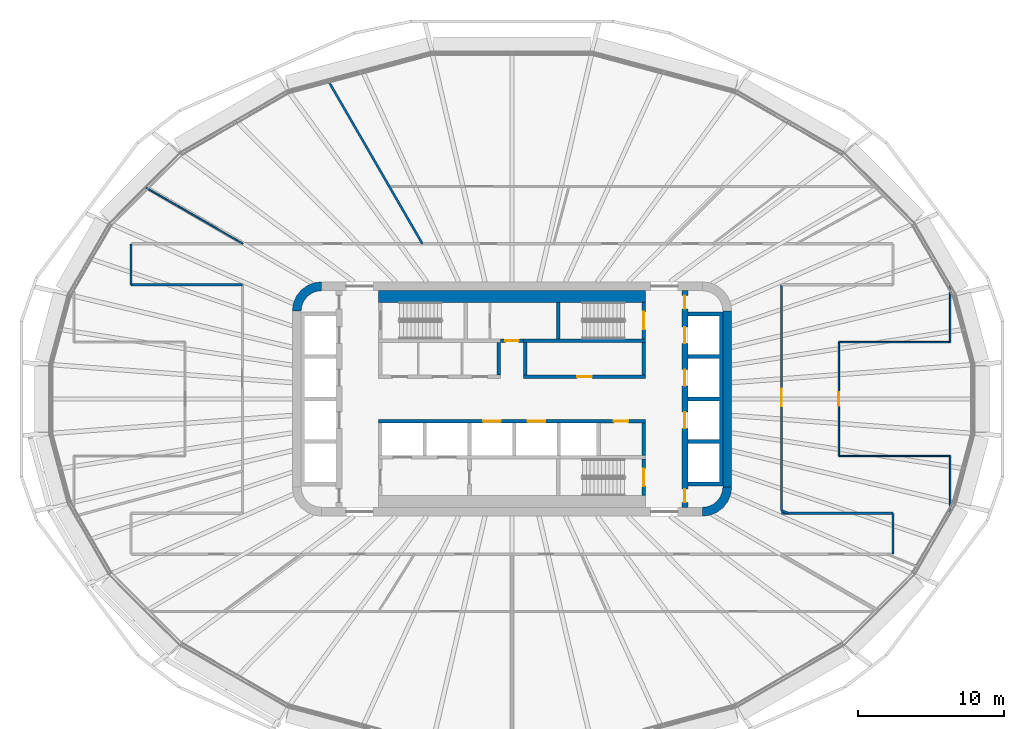
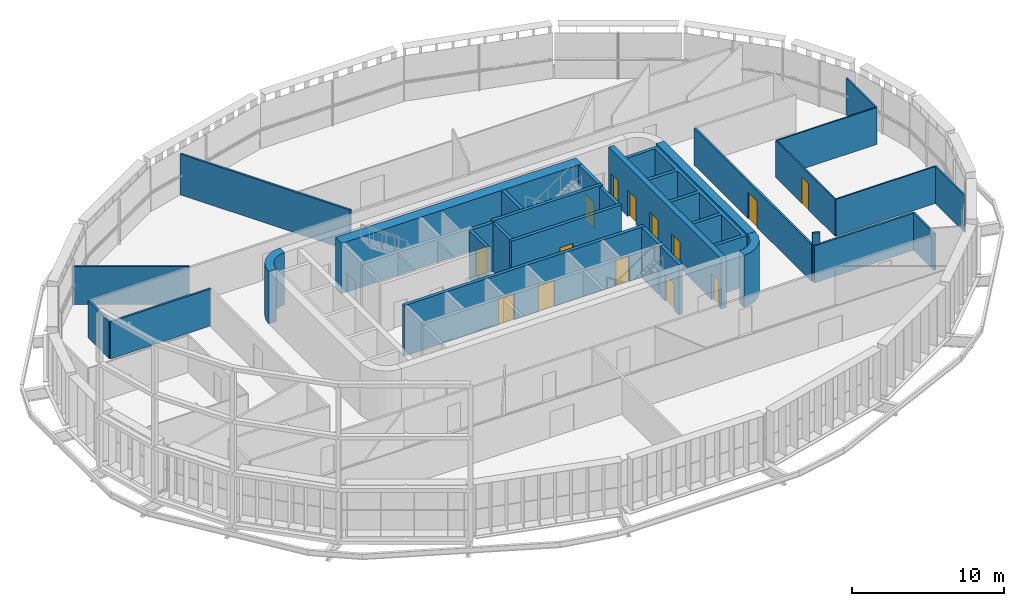
# One storey, part 16 of 25: 30 walls, 14 doors, 14 openings.
"""IFC4 building model written with IfcOpenShell, lengths in metres."""

from ifc_helpers import new_model, si_unit, direction, frame, frame_2d, origin, place, context, subcontext, project, spatial, polyline, rectangle, outline, extrude, material, layer, layer_set, type_object, element, fill, save


model = new_model("IFC4")

# Units and contexts
model_context = context("Model", 3, precision=1e-05, world=origin(), true_north=direction((0.0, 1.0)))
body_context = subcontext(model_context, "Body", "Model", "MODEL_VIEW")
ifc_project = project(units=[si_unit("LENGTHUNIT", "METRE"), si_unit("AREAUNIT", "SQUARE_METRE"), si_unit("VOLUMEUNIT", "CUBIC_METRE"), si_unit("PLANEANGLEUNIT", "RADIAN"), si_unit("MASSUNIT", "GRAM", prefix="KILO")], contexts=[model_context])

# Site, building, storey
site_placement = place(None, origin())
site = spatial("IfcSite", under=ifc_project, at=site_placement, CompositionType="ELEMENT")
building_placement = place(site_placement, origin())
building = spatial("IfcBuilding", under=site, at=building_placement, Name="Sahrelin Media Tower", CompositionType="ELEMENT")
storey_placement = place(building_placement, frame((0.0, 0.0, 135.60009765625)))
storey = spatial("IfcBuildingStorey", under=building, at=storey_placement, Name="L27", CompositionType="ELEMENT", Elevation=135.60009765625)

# Walls
ifc_material_1 = material(Name="Concrete C60/75", Category="concrete")
ifc_layer_1 = layer(ifc_material_1, 0.60009765625)
ifc_layer_set_1 = layer_set([ifc_layer_1], Name="Core wall 600")
wall_type_1 = type_object("IfcWallType", Name="Core wall 600", PredefinedType="SHEAR", material=ifc_layer_set_1)
wall_1_placement = place(storey_placement, frame((14.699951171875, -6.0, 0.0), z_axis=(0.0, 0.0, 1.0), x_axis=(0.0, 1.0, 0.0)))
element("IfcWall", 1, at=wall_1_placement, inside=storey, type_object=wall_type_1, Name="Core wall E L27", PredefinedType="SHEAR", context=body_context, shape_type="SweptSolid", body=[
    extrude(rectangle(XDim=12.0, YDim=0.60009765625, at=frame_2d((6.0, 0.0))), origin(), (0.0, 0.0, 1.0), 4.199951171875),
])
placement = place(storey_placement, origin())
element("IfcWall", 2, at=placement, inside=storey, type_object=wall_type_1, Name="Core wall corner NW L27", PredefinedType="SHEAR", context=body_context, shape_type="SweptSolid", body=[
    extrude(outline(polyline([(-15.0, 6.0), (-14.394775390625, 6.0), (-14.347412109375, 6.361083984375), (-14.2080078125, 6.697509765625), (-13.986328125, 6.986328125), (-13.697509765625, 7.2080078125), (-13.361083984375, 7.347412109375), (-13.0, 7.394775390625), (-13.0, 8.0), (-13.517578125, 7.931884765625), (-14.0, 7.732177734375), (-14.414306640625, 7.414306640625), (-14.732177734375, 7.0), (-14.931884765625, 6.517578125), (-15.0, 6.0)])), origin(), (0.0, 0.0, 1.0), 4.199951171875),
])
element("IfcWall", 3, at=placement, inside=storey, type_object=wall_type_1, Name="Core wall corner SE L27", PredefinedType="SHEAR", context=body_context, shape_type="SweptSolid", body=[
    extrude(outline(polyline([(15.0, -6.0), (14.394775390625, -6.0), (14.347412109375, -6.361083984375), (14.2080078125, -6.697509765625), (13.986328125, -6.986328125), (13.697509765625, -7.2080078125), (13.361083984375, -7.347412109375), (13.0, -7.394775390625), (13.0, -8.0), (13.517578125, -7.931884765625), (14.0, -7.732177734375), (14.414306640625, -7.414306640625), (14.732177734375, -7.0), (14.931884765625, -6.517578125), (15.0, -6.0)])), origin(), (0.0, 0.0, 1.0), 4.199951171875),
])

# Wall, opening, door
ifc_material_2 = material(Name="Fire-rated gypsum board partition")
ifc_layer_2 = layer(ifc_material_2, 0.25)
ifc_layer_set_2 = layer_set([ifc_layer_2], Name="Fire-rated lobby wall 250")
wall_type_2 = type_object("IfcWallType", Name="Fire-rated lobby wall 250", PredefinedType="PARTITIONING", material=ifc_layer_set_2)
wall_4_placement = place(storey_placement, frame((-0.77490234375, 3.97509765625, 0.0), z_axis=(0.0, 0.0, 1.0), x_axis=(1.0, 0.0, 0.0)))
wall_4 = element("IfcWall", 4, at=wall_4_placement, inside=storey, type_object=wall_type_2, Name="Core lobby wall", PredefinedType="PARTITIONING", context=body_context, shape_type="SweptSolid", body=[
    extrude(rectangle(XDim=1.5498046875, YDim=0.25, at=frame_2d((0.77490234375, 0.0))), origin(), (0.0, 0.0, 1.0), 3.89990234375),
])
opening_1_placement = place(wall_4_placement, frame((0.324951171875, 0.0, 0.0)))
opening_1 = element("IfcOpeningElement", 5, at=opening_1_placement, cuts=wall_4, Name="Opening L27-D06", PredefinedType="OPENING", context=body_context, shape_type="SweptSolid", body=[
    extrude(rectangle(XDim=0.89990234375, YDim=2.10009765625, at=frame_2d((0.449951171875, 1.050048828125))), frame((0.0, 0.125, 0.0), z_axis=(0.0, -1.0, 0.0), x_axis=(1.0, 0.0, 0.0)), (0.0, 0.0, 1.0), 0.25),
])
ifc_material_3 = material(Name="Steel fire door leaf", Category="steel")
door_type_1 = type_object("IfcDoorType", Name="Riser door 900 x 2100 EI 120", OperationType="NOTDEFINED", PredefinedType="DOOR", material=ifc_material_3)
door_1_placement = place(opening_1_placement, origin())
door_1 = element("IfcDoor", 6, at=door_1_placement, inside=storey, type_object=door_type_1, Name="Core room door", OperationType="SINGLE_SWING_LEFT", OverallHeight=2.10009765625, OverallWidth=0.89990234375, PredefinedType="DOOR", context=body_context, shape_type="SweptSolid", body=[
    extrude(rectangle(XDim=0.89990234375, YDim=2.10009765625, at=frame_2d((0.449951171875, 1.050048828125))), frame((0.0, 0.02490234375, 0.0), z_axis=(0.0, -1.0, 0.0), x_axis=(1.0, 0.0, 0.0)), (0.0, 0.0, 1.0), 0.050048828125),
])
fill(opening_1, door_1)

wall_5_placement = place(storey_placement, frame((0.77490234375, 1.52490234375, 0.0), z_axis=(0.0, 0.0, 1.0), x_axis=(1.0, 0.0, 0.0)))
wall_5 = element("IfcWall", 7, at=wall_5_placement, inside=storey, type_object=wall_type_2, Name="Core lobby wall", PredefinedType="PARTITIONING", context=body_context, shape_type="SweptSolid", body=[
    extrude(rectangle(XDim=8.35009765625, YDim=0.25, at=frame_2d((4.175048828125, 0.0))), origin(), (0.0, 0.0, 1.0), 3.89990234375),
])
opening_2_placement = place(wall_5_placement, frame((3.675048828125, 0.0, 0.0)))
opening_2 = element("IfcOpeningElement", 8, at=opening_2_placement, cuts=wall_5, Name="Opening L27-D11", PredefinedType="OPENING", context=body_context, shape_type="SweptSolid", body=[
    extrude(rectangle(XDim=1.0, YDim=2.10009765625, at=frame_2d((0.5, 1.050048828125))), frame((0.0, 0.125, 0.0), z_axis=(0.0, -1.0, 0.0), x_axis=(1.0, 0.0, 0.0)), (0.0, 0.0, 1.0), 0.25),
])
door_type_2 = type_object("IfcDoorType", Name="Fire door 1000 x 2100 EI 60", OperationType="NOTDEFINED", PredefinedType="DOOR", material=ifc_material_3)
door_2_placement = place(opening_2_placement, origin())
door_2 = element("IfcDoor", 9, at=door_2_placement, inside=storey, type_object=door_type_2, Name="Core room door", OperationType="SINGLE_SWING_LEFT", OverallHeight=2.10009765625, OverallWidth=1.0, PredefinedType="DOOR", context=body_context, shape_type="SweptSolid", body=[
    extrude(rectangle(XDim=1.0, YDim=2.10009765625, at=frame_2d((0.5, 1.050048828125))), frame((0.0, 0.02490234375, 0.0), z_axis=(0.0, -1.0, 0.0), x_axis=(1.0, 0.0, 0.0)), (0.0, 0.0, 1.0), 0.050048828125),
])
fill(opening_2, door_2)

# Walls
for number, where, z_axis, x_axis, name in (
    (10, (-0.89990234375, 1.64990234375, 0.0), (0.0, 0.0, 1.0), (0.0, 1.0, 0.0), "Core lobby wall"),
    (11, (9.0, 1.64990234375, 0.0), (0.0, 0.0, 1.0), (0.0, 1.0, 0.0), "Core lobby wall"),
    (12, (0.89990234375, 1.64990234375, 0.0), (0.0, 0.0, 1.0), (0.0, 1.0, 0.0), "Core lobby wall"),
):
    element("IfcWall", number, at=place(storey_placement, frame(where, z_axis=z_axis, x_axis=x_axis)), inside=storey, type_object=wall_type_2, Name=name, PredefinedType="PARTITIONING", context=body_context, shape_type="SweptSolid", body=[
        extrude(rectangle(XDim=2.2001953125, YDim=0.25, at=frame_2d((1.10009765625, 0.0))), origin(), (0.0, 0.0, 1.0), 3.89990234375),
    ])
ifc_layer_3 = layer(ifc_material_2, 0.14990234375)
ifc_layer_set_3 = layer_set([ifc_layer_3], Name="Fire-rated partition 150")
wall_type_3 = type_object("IfcWallType", Name="Fire-rated partition 150", PredefinedType="PARTITIONING", material=ifc_layer_set_3)
wall_6_placement = place(storey_placement, frame((-12.5810546875, 21.7900390625, 0.0), z_axis=(0.0, 0.0, 1.0), x_axis=(0.500038653944, -0.866003085769, 0.0)))
element("IfcWall", 13, at=wall_6_placement, inside=storey, type_object=wall_type_3, Name="Wall", PredefinedType="PARTITIONING", context=body_context, shape_type="SweptSolid", body=[
    extrude(rectangle(XDim=12.92138671875, YDim=0.14990234375, at=frame_2d((6.460693359375, 0.0))), origin(), (0.0, 0.0, 1.0), 3.27734375),
])
wall_7_placement = place(storey_placement, frame((18.39990234375, -7.60791015625, 0.0), z_axis=(0.0, 0.0, 1.0), x_axis=(0.923666464005, -0.383197420755, 0.0)))
element("IfcWall", 14, at=wall_7_placement, inside=storey, type_object=wall_type_3, Name="Wall", PredefinedType="PARTITIONING", context=body_context, shape_type="SweptSolid", body=[
    extrude(rectangle(XDim=0.50146484375, YDim=0.14990234375, at=frame_2d((0.250732421875, 0.0))), origin(), (0.0, 0.0, 1.0), 3.89990234375),
])
for number, where, z_axis, x_axis, name in (
    (15, (18.39990234375, -7.800048828125, 0.0), (0.0, 0.0, 1.0), (1.0, 0.0, 0.0), "Wall"),
    (16, (-26.0, 7.800048828125, 0.0), (0.0, 0.0, 1.0), (1.0, 0.0, 0.0), "Wall"),
):
    element("IfcWall", number, at=place(storey_placement, frame(where, z_axis=z_axis, x_axis=x_axis)), inside=storey, type_object=wall_type_3, Name=name, PredefinedType="PARTITIONING", context=body_context, shape_type="SweptSolid", body=[
        extrude(rectangle(XDim=7.60009765625, YDim=0.14990234375, at=frame_2d((3.800048828125, 0.0))), origin(), (0.0, 0.0, 1.0), 2.976806640625),
    ])
wall_8_placement = place(storey_placement, frame((26.0, -10.574951171875, 0.0), z_axis=(0.0, 0.0, 1.0), x_axis=(0.0, 1.0, 0.0)))
element("IfcWall", 17, at=wall_8_placement, inside=storey, type_object=wall_type_3, Name="Wall", PredefinedType="PARTITIONING", context=body_context, shape_type="SweptSolid", body=[
    extrude(rectangle(XDim=2.77490234375, YDim=0.14990234375, at=frame_2d((1.387451171875, 0.0))), origin(), (0.0, 0.0, 1.0), 2.976806640625),
])

# Wall, opening, door
wall_9_placement = place(storey_placement, frame((18.39990234375, -7.60791015625, 0.0), z_axis=(0.0, 0.0, 1.0), x_axis=(0.0, 1.0, 0.0)))
wall_9 = element("IfcWall", 18, at=wall_9_placement, inside=storey, type_object=wall_type_3, Name="Wall", PredefinedType="PARTITIONING", context=body_context, shape_type="SweptSolid", body=[
    extrude(rectangle(XDim=15.407958984375, YDim=0.14990234375, at=frame_2d((7.7041015625, 0.0))), origin(), (0.0, 0.0, 1.0), 2.968017578125),
])
opening_3_placement = place(wall_9_placement, frame((7.10400390625, 0.0, 0.0)))
opening_3 = element("IfcOpeningElement", 19, at=opening_3_placement, cuts=wall_9, Name="Opening L27-D22", PredefinedType="OPENING", context=body_context, shape_type="SweptSolid", body=[
    extrude(rectangle(XDim=1.199951171875, YDim=2.10009765625, at=frame_2d((0.60009765625, 1.050048828125))), frame((0.0, 0.074951171875, 0.0), z_axis=(0.0, -1.0, 0.0), x_axis=(1.0, 0.0, 0.0)), (0.0, 0.0, 1.0), 0.14990234375),
])
door_type_3 = type_object("IfcDoorType", Name="Service double door 1200 x 2100 EI 60", OperationType="DOUBLE_DOOR_SINGLE_SWING", PredefinedType="DOOR", material=ifc_material_3)
door_3_placement = place(opening_3_placement, origin())
door_3 = element("IfcDoor", 20, at=door_3_placement, inside=storey, type_object=door_type_3, Name="Service double door", OperationType="DOUBLE_DOOR_SINGLE_SWING", OverallHeight=2.10009765625, OverallWidth=1.199951171875, PredefinedType="DOOR", context=body_context, shape_type="SweptSolid", body=[
    extrude(rectangle(XDim=1.199951171875, YDim=2.10009765625, at=frame_2d((0.60009765625, 1.050048828125))), frame((0.0, 0.02490234375, 0.0), z_axis=(0.0, -1.0, 0.0), x_axis=(1.0, 0.0, 0.0)), (0.0, 0.0, 1.0), 0.050048828125),
])
fill(opening_3, door_3)

# Wall
wall_10_placement = place(storey_placement, frame((-26.0, 7.800048828125, 0.0), z_axis=(0.0, 0.0, 1.0), x_axis=(0.0, 1.0, 0.0)))
element("IfcWall", 21, at=wall_10_placement, inside=storey, type_object=wall_type_3, Name="Wall", PredefinedType="PARTITIONING", context=body_context, shape_type="SweptSolid", body=[
    extrude(rectangle(XDim=2.77490234375, YDim=0.14990234375, at=frame_2d((1.387451171875, 0.0))), origin(), (0.0, 0.0, 1.0), 2.976806640625),
])

# Wall, openings, doors
ifc_layer_4 = layer(ifc_material_1, 0.25)
ifc_layer_set_4 = layer_set([ifc_layer_4], Name="Lift shaft wall 250")
wall_type_4 = type_object("IfcWallType", Name="Lift shaft wall 250", PredefinedType="SOLIDWALL", material=ifc_layer_set_4)
wall_11_placement = place(storey_placement, frame((-9.125, -1.52490234375, 0.0), z_axis=(0.0, 0.0, 1.0), x_axis=(1.0, 0.0, 0.0)))
wall_11 = element("IfcWall", 22, at=wall_11_placement, inside=storey, type_object=wall_type_4, Name="Lift shaft wall", PredefinedType="SOLIDWALL", context=body_context, shape_type="SweptSolid", body=[
    extrude(rectangle(XDim=18.25, YDim=0.25, at=frame_2d((9.125, 0.0))), origin(), (0.0, 0.0, 1.0), 4.0498046875),
])
opening_4_placement = place(wall_11_placement, frame((7.14990234375, 0.0, 0.0)))
opening_4 = element("IfcOpeningElement", 23, at=opening_4_placement, cuts=wall_11, Name="Opening L27-LD-SV1", PredefinedType="OPENING", context=body_context, shape_type="SweptSolid", body=[
    extrude(rectangle(XDim=1.199951171875, YDim=2.10009765625, at=frame_2d((0.60009765625, 1.050048828125))), frame((0.0, 0.125, 0.0), z_axis=(0.0, -1.0, 0.0), x_axis=(1.0, 0.0, 0.0)), (0.0, 0.0, 1.0), 0.25),
])
opening_5_placement = place(wall_11_placement, frame((10.199951171875, 0.0, 0.0)))
opening_5 = element("IfcOpeningElement", 24, at=opening_5_placement, cuts=wall_11, Name="Opening L27-LD-SV2", PredefinedType="OPENING", context=body_context, shape_type="SweptSolid", body=[
    extrude(rectangle(XDim=1.199951171875, YDim=2.10009765625, at=frame_2d((0.60009765625, 1.050048828125))), frame((0.0, 0.125, 0.0), z_axis=(0.0, -1.0, 0.0), x_axis=(1.0, 0.0, 0.0)), (0.0, 0.0, 1.0), 0.25),
])
opening_6_placement = place(wall_11_placement, frame((16.074951171875, 0.0, 0.0)))
opening_6 = element("IfcOpeningElement", 25, at=opening_6_placement, cuts=wall_11, Name="Opening L27-D12", PredefinedType="OPENING", context=body_context, shape_type="SweptSolid", body=[
    extrude(rectangle(XDim=1.0, YDim=2.10009765625, at=frame_2d((0.5, 1.050048828125))), frame((0.0, 0.125, 0.0), z_axis=(0.0, -1.0, 0.0), x_axis=(1.0, 0.0, 0.0)), (0.0, 0.0, 1.0), 0.25),
])
door_4_placement = place(opening_6_placement, origin())
door_4 = element("IfcDoor", 26, at=door_4_placement, inside=storey, type_object=door_type_2, Name="Core room door", OperationType="SINGLE_SWING_RIGHT", OverallHeight=2.10009765625, OverallWidth=1.0, PredefinedType="DOOR", context=body_context, shape_type="SweptSolid", body=[
    extrude(rectangle(XDim=1.0, YDim=2.10009765625, at=frame_2d((0.5, 1.050048828125))), frame((0.0, 0.02490234375, 0.0), z_axis=(0.0, -1.0, 0.0), x_axis=(1.0, 0.0, 0.0)), (0.0, 0.0, 1.0), 0.050048828125),
])
fill(opening_6, door_4)
ifc_material_4 = material(Name="Stainless steel", Category="steel")
door_type_4 = type_object("IfcDoorType", Name="Lift landing door 1200 x 2100 EI 120", OperationType="DOUBLE_DOOR_SLIDING", PredefinedType="DOOR", material=ifc_material_4)
door_5_placement = place(opening_4_placement, origin())
door_5 = element("IfcDoor", 27, at=door_5_placement, inside=storey, type_object=door_type_4, Name="Lift landing door SV1", OperationType="DOUBLE_DOOR_SLIDING", OverallHeight=2.10009765625, OverallWidth=1.199951171875, PredefinedType="DOOR", context=body_context, shape_type="SweptSolid", body=[
    extrude(rectangle(XDim=1.199951171875, YDim=2.10009765625, at=frame_2d((0.60009765625, 1.050048828125))), frame((0.0, 0.02490234375, 0.0), z_axis=(0.0, -1.0, 0.0), x_axis=(1.0, 0.0, 0.0)), (0.0, 0.0, 1.0), 0.050048828125),
])
fill(opening_4, door_5)
door_6_placement = place(opening_5_placement, origin())
door_6 = element("IfcDoor", 28, at=door_6_placement, inside=storey, type_object=door_type_4, Name="Lift landing door SV2", OperationType="DOUBLE_DOOR_SLIDING", OverallHeight=2.10009765625, OverallWidth=1.199951171875, PredefinedType="DOOR", context=body_context, shape_type="SweptSolid", body=[
    extrude(rectangle(XDim=1.199951171875, YDim=2.10009765625, at=frame_2d((0.60009765625, 1.050048828125))), frame((0.0, 0.02490234375, 0.0), z_axis=(0.0, -1.0, 0.0), x_axis=(1.0, 0.0, 0.0)), (0.0, 0.0, 1.0), 0.050048828125),
])
fill(opening_5, door_6)

# Walls
wall_12_placement = place(storey_placement, frame((9.0, -3.85009765625, 0.0), z_axis=(0.0, 0.0, 1.0), x_axis=(0.0, 1.0, 0.0)))
element("IfcWall", 29, at=wall_12_placement, inside=storey, type_object=wall_type_4, Name="Lift shaft wall", PredefinedType="SOLIDWALL", context=body_context, shape_type="SweptSolid", body=[
    extrude(rectangle(XDim=2.2001953125, YDim=0.25, at=frame_2d((1.10009765625, 0.0))), origin(), (0.0, 0.0, 1.0), 4.0498046875),
])
element("IfcWall", 30, at=placement, inside=storey, type_object=wall_type_4, Name="Lift shaft wall", PredefinedType="SOLIDWALL", context=body_context, shape_type="SweptSolid", body=[
    extrude(outline(polyline([(12.0, -5.675048828125), (12.0, -5.925048828125), (14.14990234375, -5.925048828125), (14.39990234375, -5.925048828125), (14.39990234375, -5.675048828125), (14.39990234375, -3.02490234375), (14.39990234375, -2.77490234375), (14.39990234375, -0.125), (14.39990234375, 0.125), (14.39990234375, 2.77490234375), (14.39990234375, 3.02490234375), (14.39990234375, 5.675048828125), (14.39990234375, 5.925048828125), (14.14990234375, 5.925048828125), (12.0, 5.925048828125), (12.0, 5.675048828125), (14.14990234375, 5.675048828125), (14.14990234375, 3.02490234375), (12.0, 3.02490234375), (12.0, 2.77490234375), (14.14990234375, 2.77490234375), (14.14990234375, 0.125), (12.0, 0.125), (12.0, -0.125), (14.14990234375, -0.125), (14.14990234375, -2.77490234375), (12.0, -2.77490234375), (12.0, -3.02490234375), (14.14990234375, -3.02490234375), (14.14990234375, -5.675048828125), (12.0, -5.675048828125)])), origin(), (0.0, 0.0, 1.0), 4.0498046875),
])

# Wall, openings, doors
ifc_layer_5 = layer(ifc_material_1, 0.39990234375)
ifc_layer_set_5 = layer_set([ifc_layer_5], Name="Lift shaft wall 400")
wall_type_5 = type_object("IfcWallType", Name="Lift shaft wall 400", PredefinedType="SOLIDWALL", material=ifc_layer_set_5)
wall_14_placement = place(storey_placement, frame((11.800048828125, -7.39990234375, 0.0), z_axis=(0.0, 0.0, 1.0), x_axis=(0.0, 1.0, 0.0)))
wall_14 = element("IfcWall", 31, at=wall_14_placement, inside=storey, type_object=wall_type_5, Name="Lift shaft wall", PredefinedType="SOLIDWALL", context=body_context, shape_type="SweptSolid", body=[
    extrude(rectangle(XDim=14.7998046875, YDim=0.39990234375, at=frame_2d((7.39990234375, 0.0))), origin(), (0.0, 0.0, 1.0), 4.0498046875),
])
opening_7_placement = place(wall_14_placement, frame((11.199951171875, 0.0, 0.0)))
opening_7 = element("IfcOpeningElement", 32, at=opening_7_placement, cuts=wall_14, Name="Opening L27-LD-LR4", PredefinedType="OPENING", context=body_context, shape_type="SweptSolid", body=[
    extrude(rectangle(XDim=1.10009765625, YDim=2.10009765625, at=frame_2d((0.550048828125, 1.050048828125))), frame((0.0, 0.199951171875, 0.0), z_axis=(0.0, -1.0, 0.0), x_axis=(1.0, 0.0, 0.0)), (0.0, 0.0, 1.0), 0.39990234375),
])
opening_8_placement = place(wall_14_placement, frame((8.300048828125, 0.0, 0.0)))
opening_8 = element("IfcOpeningElement", 33, at=opening_8_placement, cuts=wall_14, Name="Opening L27-LD-LR5", PredefinedType="OPENING", context=body_context, shape_type="SweptSolid", body=[
    extrude(rectangle(XDim=1.10009765625, YDim=2.10009765625, at=frame_2d((0.550048828125, 1.050048828125))), frame((0.0, 0.199951171875, 0.0), z_axis=(0.0, -1.0, 0.0), x_axis=(1.0, 0.0, 0.0)), (0.0, 0.0, 1.0), 0.39990234375),
])
opening_9_placement = place(wall_14_placement, frame((5.39990234375, 0.0, 0.0)))
opening_9 = element("IfcOpeningElement", 34, at=opening_9_placement, cuts=wall_14, Name="Opening L27-LD-LR6", PredefinedType="OPENING", context=body_context, shape_type="SweptSolid", body=[
    extrude(rectangle(XDim=1.10009765625, YDim=2.10009765625, at=frame_2d((0.550048828125, 1.050048828125))), frame((0.0, 0.199951171875, 0.0), z_axis=(0.0, -1.0, 0.0), x_axis=(1.0, 0.0, 0.0)), (0.0, 0.0, 1.0), 0.39990234375),
])
opening_10_placement = place(wall_14_placement, frame((13.552490234375, 0.0, 0.0)))
opening_10 = element("IfcOpeningElement", 35, at=opening_10_placement, cuts=wall_14, Name="Opening L27-D15", PredefinedType="OPENING", context=body_context, shape_type="SweptSolid", body=[
    extrude(rectangle(XDim=0.89990234375, YDim=2.10009765625, at=frame_2d((0.449951171875, 1.050048828125))), frame((0.0, 0.199951171875, 0.0), z_axis=(0.0, -1.0, 0.0), x_axis=(1.0, 0.0, 0.0)), (0.0, 0.0, 1.0), 0.39990234375),
])
opening_11_placement = place(wall_14_placement, frame((0.347412109375, 0.0, 0.0)))
opening_11 = element("IfcOpeningElement", 36, at=opening_11_placement, cuts=wall_14, Name="Opening L27-D16", PredefinedType="OPENING", context=body_context, shape_type="SweptSolid", body=[
    extrude(rectangle(XDim=0.89990234375, YDim=2.10009765625, at=frame_2d((0.449951171875, 1.050048828125))), frame((0.0, 0.199951171875, 0.0), z_axis=(0.0, -1.0, 0.0), x_axis=(1.0, 0.0, 0.0)), (0.0, 0.0, 1.0), 0.39990234375),
])
door_type_5 = type_object("IfcDoorType", Name="Lift landing door 1100 x 2100 EI 120", OperationType="DOUBLE_DOOR_SLIDING", PredefinedType="DOOR", material=ifc_material_4)
door_7_placement = place(opening_7_placement, origin())
door_7 = element("IfcDoor", 37, at=door_7_placement, inside=storey, type_object=door_type_5, Name="Lift landing door LR4", OperationType="DOUBLE_DOOR_SLIDING", OverallHeight=2.10009765625, OverallWidth=1.10009765625, PredefinedType="DOOR", context=body_context, shape_type="SweptSolid", body=[
    extrude(rectangle(XDim=1.10009765625, YDim=2.10009765625, at=frame_2d((0.550048828125, 1.050048828125))), frame((0.0, 0.02490234375, 0.0), z_axis=(0.0, -1.0, 0.0), x_axis=(1.0, 0.0, 0.0)), (0.0, 0.0, 1.0), 0.050048828125),
])
fill(opening_7, door_7)
door_8_placement = place(opening_8_placement, origin())
door_8 = element("IfcDoor", 38, at=door_8_placement, inside=storey, type_object=door_type_5, Name="Lift landing door LR5", OperationType="DOUBLE_DOOR_SLIDING", OverallHeight=2.10009765625, OverallWidth=1.10009765625, PredefinedType="DOOR", context=body_context, shape_type="SweptSolid", body=[
    extrude(rectangle(XDim=1.10009765625, YDim=2.10009765625, at=frame_2d((0.550048828125, 1.050048828125))), frame((0.0, 0.02490234375, 0.0), z_axis=(0.0, -1.0, 0.0), x_axis=(1.0, 0.0, 0.0)), (0.0, 0.0, 1.0), 0.050048828125),
])
fill(opening_8, door_8)
door_9_placement = place(opening_9_placement, origin())
door_9 = element("IfcDoor", 39, at=door_9_placement, inside=storey, type_object=door_type_5, Name="Lift landing door LR6", OperationType="DOUBLE_DOOR_SLIDING", OverallHeight=2.10009765625, OverallWidth=1.10009765625, PredefinedType="DOOR", context=body_context, shape_type="SweptSolid", body=[
    extrude(rectangle(XDim=1.10009765625, YDim=2.10009765625, at=frame_2d((0.550048828125, 1.050048828125))), frame((0.0, 0.02490234375, 0.0), z_axis=(0.0, -1.0, 0.0), x_axis=(1.0, 0.0, 0.0)), (0.0, 0.0, 1.0), 0.050048828125),
])
fill(opening_9, door_9)
door_10_placement = place(opening_10_placement, origin())
door_10 = element("IfcDoor", 40, at=door_10_placement, inside=storey, type_object=door_type_1, Name="Riser door", OperationType="SINGLE_SWING_RIGHT", OverallHeight=2.10009765625, OverallWidth=0.89990234375, PredefinedType="DOOR", context=body_context, shape_type="SweptSolid", body=[
    extrude(rectangle(XDim=0.89990234375, YDim=2.10009765625, at=frame_2d((0.449951171875, 1.050048828125))), frame((0.0, 0.02490234375, 0.0), z_axis=(0.0, -1.0, 0.0), x_axis=(1.0, 0.0, 0.0)), (0.0, 0.0, 1.0), 0.050048828125),
])
fill(opening_10, door_10)
door_11_placement = place(opening_11_placement, origin())
door_11 = element("IfcDoor", 41, at=door_11_placement, inside=storey, type_object=door_type_1, Name="Riser door", OperationType="SINGLE_SWING_RIGHT", OverallHeight=2.10009765625, OverallWidth=0.89990234375, PredefinedType="DOOR", context=body_context, shape_type="SweptSolid", body=[
    extrude(rectangle(XDim=0.89990234375, YDim=2.10009765625, at=frame_2d((0.449951171875, 1.050048828125))), frame((0.0, 0.02490234375, 0.0), z_axis=(0.0, -1.0, 0.0), x_axis=(1.0, 0.0, 0.0)), (0.0, 0.0, 1.0), 0.050048828125),
])
fill(opening_11, door_11)

# Walls
ifc_material_5 = material(Name="Gypsum board partition")
ifc_layer_6 = layer(ifc_material_5, 0.10009765625)
ifc_layer_set_6 = layer_set([ifc_layer_6], Name="Partition 100")
wall_type_6 = type_object("IfcWallType", Name="Partition 100", PredefinedType="PARTITIONING", material=ifc_layer_set_6)
wall_15_placement = place(storey_placement, frame((-25.029052734375, 14.450927734375, 0.0), z_axis=(0.0, 0.0, 1.0), x_axis=(0.865996573404, -0.500049932359, 0.0)))
element("IfcWall", 42, at=wall_15_placement, inside=storey, type_object=wall_type_6, Name="Wall", PredefinedType="PARTITIONING", context=body_context, shape_type="SweptSolid", body=[
    extrude(rectangle(XDim=7.700927734375, YDim=0.10009765625, at=frame_2d((3.8505859375, 0.0))), origin(), (0.0, 0.0, 1.0), 3.044921875),
])
for number, where, z_axis, x_axis, name in (
    (43, (22.31005859375, -3.889892578125, 0.0), (0.0, 0.0, 1.0), (1.0, 0.0, 0.0), "Wall"),
    (44, (22.31005859375, 3.889892578125, 0.0), (0.0, 0.0, 1.0), (1.0, 0.0, 0.0), "Wall"),
):
    element("IfcWall", number, at=place(storey_placement, frame(where, z_axis=z_axis, x_axis=x_axis)), inside=storey, type_object=wall_type_6, Name=name, PredefinedType="PARTITIONING", context=body_context, shape_type="SweptSolid", body=[
        extrude(rectangle(XDim=7.599853515625, YDim=0.10009765625, at=frame_2d((3.7998046875, 0.0))), origin(), (0.0, 0.0, 1.0), 2.968017578125),
    ])
for number, where, z_axis, x_axis, name in (
    (45, (29.909912109375, -7.802978515625, 0.0), (0.0, 0.0, 1.0), (0.0, 1.0, 0.0), "Wall"),
    (46, (29.909912109375, 3.889892578125, 0.0), (0.0, 0.0, 1.0), (0.0, 1.0, 0.0), "Wall"),
):
    element("IfcWall", number, at=place(storey_placement, frame(where, z_axis=z_axis, x_axis=x_axis)), inside=storey, type_object=wall_type_6, Name=name, PredefinedType="PARTITIONING", context=body_context, shape_type="SweptSolid", body=[
        extrude(rectangle(XDim=3.9130859375, YDim=0.10009765625, at=frame_2d((1.95654296875, 0.0))), origin(), (0.0, 0.0, 1.0), 2.968017578125),
    ])

# Wall, opening, door
wall_16_placement = place(storey_placement, frame((22.31005859375, -3.889892578125, 0.0), z_axis=(0.0, 0.0, 1.0), x_axis=(0.0, 1.0, 0.0)))
wall_16 = element("IfcWall", 47, at=wall_16_placement, inside=storey, type_object=wall_type_6, Name="Wall", PredefinedType="PARTITIONING", context=body_context, shape_type="SweptSolid", body=[
    extrude(rectangle(XDim=7.77978515625, YDim=0.10009765625, at=frame_2d((3.889892578125, 0.0))), origin(), (0.0, 0.0, 1.0), 2.968017578125),
])
opening_12_placement = place(wall_16_placement, frame((3.43994140625, 0.0, 0.0)))
opening_12 = element("IfcOpeningElement", 48, at=opening_12_placement, cuts=wall_16, Name="Opening L27-D25", PredefinedType="OPENING", context=body_context, shape_type="SweptSolid", body=[
    extrude(rectangle(XDim=0.89990234375, YDim=2.10009765625, at=frame_2d((0.449951171875, 1.050048828125))), frame((0.0, 0.050048828125, 0.0), z_axis=(0.0, -1.0, 0.0), x_axis=(1.0, 0.0, 0.0)), (0.0, 0.0, 1.0), 0.10009765625),
])
ifc_material_6 = material(Name="Timber door leaf", Category="wood")
door_type_6 = type_object("IfcDoorType", Name="Single door 900 x 2100", OperationType="NOTDEFINED", PredefinedType="DOOR", material=ifc_material_6)
door_12_placement = place(opening_12_placement, origin())
door_12 = element("IfcDoor", 49, at=door_12_placement, inside=storey, type_object=door_type_6, Name="Single door", OperationType="SINGLE_SWING_LEFT", OverallHeight=2.10009765625, OverallWidth=0.89990234375, PredefinedType="DOOR", context=body_context, shape_type="SweptSolid", body=[
    extrude(rectangle(XDim=0.89990234375, YDim=2.10009765625, at=frame_2d((0.449951171875, 1.050048828125))), frame((0.0, 0.02490234375, 0.0), z_axis=(0.0, -1.0, 0.0), x_axis=(1.0, 0.0, 0.0)), (0.0, 0.0, 1.0), 0.050048828125),
])
fill(opening_12, door_12)

ifc_layer_7 = layer(ifc_material_1, 0.25)
ifc_layer_set_7 = layer_set([ifc_layer_7], Name="Stair enclosure wall 250")
wall_type_7 = type_object("IfcWallType", Name="Stair enclosure wall 250", PredefinedType="SOLIDWALL", material=ifc_layer_set_7)
wall_17_placement = place(storey_placement, frame((9.0, 4.10009765625, 0.0), z_axis=(0.0, 0.0, 1.0), x_axis=(0.0, 1.0, 0.0)))
wall_17 = element("IfcWall", 50, at=wall_17_placement, inside=storey, type_object=wall_type_7, Name="Stair enclosure wall", PredefinedType="SOLIDWALL", context=body_context, shape_type="SweptSolid", body=[
    extrude(rectangle(XDim=2.5, YDim=0.25, at=frame_2d((1.25, 0.0))), origin(), (0.0, 0.0, 1.0), 4.0498046875),
])
opening_13_placement = place(wall_17_placement, frame((0.64990234375, 0.0, 0.0)))
opening_13 = element("IfcOpeningElement", 51, at=opening_13_placement, cuts=wall_17, Name="Opening L27-D02", PredefinedType="OPENING", context=body_context, shape_type="SweptSolid", body=[
    extrude(rectangle(XDim=1.199951171875, YDim=2.10009765625, at=frame_2d((0.60009765625, 1.050048828125))), frame((0.0, 0.125, 0.0), z_axis=(0.0, -1.0, 0.0), x_axis=(1.0, 0.0, 0.0)), (0.0, 0.0, 1.0), 0.25),
])
door_type_7 = type_object("IfcDoorType", Name="Stair door 1200 x 2100 EI 120", OperationType="NOTDEFINED", PredefinedType="DOOR", material=ifc_material_3)
door_13_placement = place(opening_13_placement, origin())
door_13 = element("IfcDoor", 52, at=door_13_placement, inside=storey, type_object=door_type_7, Name="Stair door ST3", OperationType="SINGLE_SWING_LEFT", OverallHeight=2.10009765625, OverallWidth=1.199951171875, PredefinedType="DOOR", context=body_context, shape_type="SweptSolid", body=[
    extrude(rectangle(XDim=1.199951171875, YDim=2.10009765625, at=frame_2d((0.60009765625, 1.050048828125))), frame((0.0, 0.02490234375, 0.0), z_axis=(0.0, -1.0, 0.0), x_axis=(1.0, 0.0, 0.0)), (0.0, 0.0, 1.0), 0.050048828125),
])
fill(opening_13, door_13)

wall_18_placement = place(storey_placement, frame((9.0, -6.60009765625, 0.0), z_axis=(0.0, 0.0, 1.0), x_axis=(0.0, 1.0, 0.0)))
wall_18 = element("IfcWall", 53, at=wall_18_placement, inside=storey, type_object=wall_type_7, Name="Stair enclosure wall", PredefinedType="SOLIDWALL", context=body_context, shape_type="SweptSolid", body=[
    extrude(rectangle(XDim=2.5, YDim=0.25, at=frame_2d((1.25, 0.0))), origin(), (0.0, 0.0, 1.0), 4.0498046875),
])
opening_14_placement = place(wall_18_placement, frame((0.64990234375, 0.0, 0.0)))
opening_14 = element("IfcOpeningElement", 54, at=opening_14_placement, cuts=wall_18, Name="Opening L27-D03", PredefinedType="OPENING", context=body_context, shape_type="SweptSolid", body=[
    extrude(rectangle(XDim=1.199951171875, YDim=2.10009765625, at=frame_2d((0.60009765625, 1.050048828125))), frame((0.0, 0.125, 0.0), z_axis=(0.0, -1.0, 0.0), x_axis=(1.0, 0.0, 0.0)), (0.0, 0.0, 1.0), 0.25),
])
door_14_placement = place(opening_14_placement, origin())
door_14 = element("IfcDoor", 55, at=door_14_placement, inside=storey, type_object=door_type_7, Name="Stair door ST2", OperationType="SINGLE_SWING_LEFT", OverallHeight=2.10009765625, OverallWidth=1.199951171875, PredefinedType="DOOR", context=body_context, shape_type="SweptSolid", body=[
    extrude(rectangle(XDim=1.199951171875, YDim=2.10009765625, at=frame_2d((0.60009765625, 1.050048828125))), frame((0.0, 0.02490234375, 0.0), z_axis=(0.0, -1.0, 0.0), x_axis=(1.0, 0.0, 0.0)), (0.0, 0.0, 1.0), 0.050048828125),
])
fill(opening_14, door_14)

# Walls
wall_19_placement = place(storey_placement, frame((3.14990234375, 4.10009765625, 0.0), z_axis=(0.0, 0.0, 1.0), x_axis=(0.0, 1.0, 0.0)))
element("IfcWall", 56, at=wall_19_placement, inside=storey, type_object=wall_type_7, Name="Stair enclosure wall", PredefinedType="SOLIDWALL", context=body_context, shape_type="SweptSolid", body=[
    extrude(rectangle(XDim=2.5, YDim=0.25, at=frame_2d((1.25, 0.0))), origin(), (0.0, 0.0, 1.0), 4.0498046875),
])
wall_20_placement = place(storey_placement, frame((0.77490234375, 3.97509765625, 0.0), z_axis=(0.0, 0.0, 1.0), x_axis=(1.0, 0.0, 0.0)))
element("IfcWall", 57, at=wall_20_placement, inside=storey, type_object=wall_type_7, Name="Stair enclosure wall", PredefinedType="SOLIDWALL", context=body_context, shape_type="SweptSolid", body=[
    extrude(rectangle(XDim=8.35009765625, YDim=0.25, at=frame_2d((4.175048828125, 0.0))), origin(), (0.0, 0.0, 1.0), 4.0498046875),
])
ifc_layer_8 = layer(ifc_material_1, 0.800048828125)
ifc_layer_set_8 = layer_set([ifc_layer_8], Name="Stair enclosure wall 800")
wall_type_8 = type_object("IfcWallType", Name="Stair enclosure wall 800", PredefinedType="SOLIDWALL", material=ifc_layer_set_8)
wall_21_placement = place(storey_placement, frame((-9.125, 7.0, 0.0), z_axis=(0.0, 0.0, 1.0), x_axis=(1.0, 0.0, 0.0)))
element("IfcWall", 58, at=wall_21_placement, inside=storey, type_object=wall_type_8, Name="Stair enclosure wall", PredefinedType="SOLIDWALL", context=body_context, shape_type="SweptSolid", body=[
    extrude(rectangle(XDim=18.25, YDim=0.800048828125, at=frame_2d((9.125, 0.0))), origin(), (0.0, 0.0, 1.0), 4.0498046875),
])

save(model, "model.ifc")
